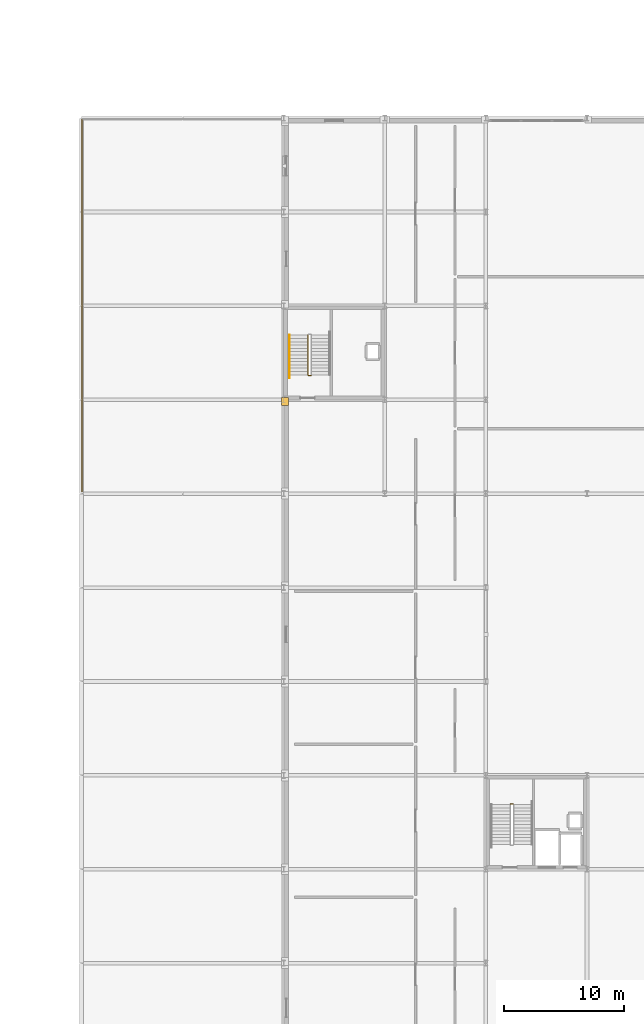
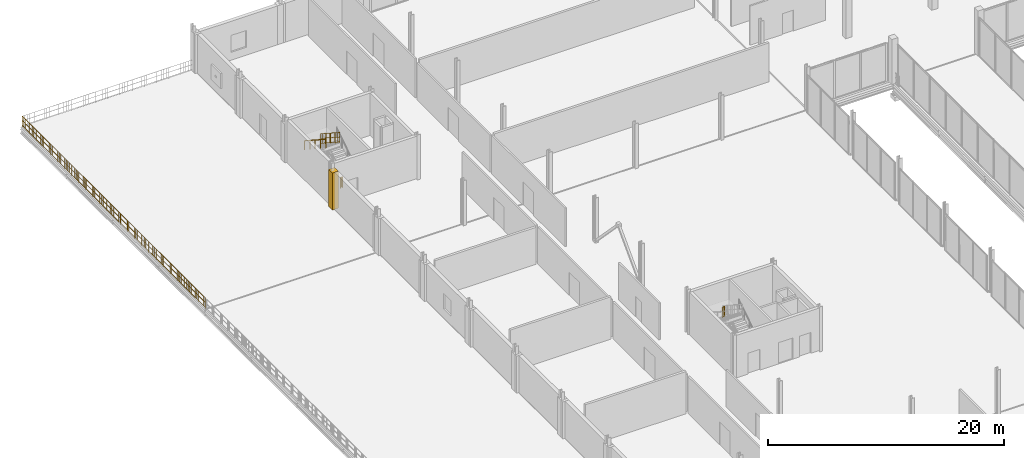
# One storey, part 92 of 98: 5 railings, 1 covering.
"""IFC4 building model written with IfcOpenShell, lengths in metres."""

from ifc_helpers import new_model, si_unit, direction, frame, origin, origin_2d, place, context, subcontext, project, spatial, polyline, circle, outline, extrude, material, layer, layer_set, type_object, element, save


model = new_model("IFC4")

# Units and contexts
model_context = context("Model", 3, precision=1e-05, world=origin(), true_north=direction((0.0, 1.0)))
body_context = subcontext(model_context, "Body", "Model", "MODEL_VIEW")
ifc_project = project(units=[si_unit("LENGTHUNIT", "METRE"), si_unit("AREAUNIT", "SQUARE_METRE"), si_unit("VOLUMEUNIT", "CUBIC_METRE"), si_unit("PLANEANGLEUNIT", "RADIAN"), si_unit("MASSUNIT", "GRAM", prefix="KILO")], contexts=[model_context])

# Site, building, storey
site_placement = place(None, origin())
site = spatial("IfcSite", under=ifc_project, at=site_placement, CompositionType="ELEMENT")
building_placement = place(site_placement, origin())
building = spatial("IfcBuilding", under=site, at=building_placement, Name="Nabrawat Pavilion Hospital", CompositionType="ELEMENT")
storey_placement = place(building_placement, frame((0.0, 0.0, 10.199951171875)))
storey = spatial("IfcBuildingStorey", under=building, at=storey_placement, Name="L02", CompositionType="ELEMENT", Elevation=10.199951171875)

# Covering
ifc_material_1 = material(Name="Precast concrete C40/50", Category="concrete")
ifc_layer_1 = layer(ifc_material_1, 0.360107421875, Name="Precast concrete C40/50")
ifc_layer_set_1 = layer_set([ifc_layer_1], Name="Precast concrete C40/50")
covering_type = type_object("IfcCoveringType", Name="Architectural Precast Column-Jamb Closure Reveal", PredefinedType="CLADDING", material=ifc_layer_set_1)
covering_placement = place(storey_placement, origin())
element("IfcCovering", 1, at=covering_placement, inside=storey, type_object=covering_type, Name="L02 Precast Facade Column-Jamb Weatherseal Closure 0338", PredefinedType="CLADDING", context=body_context, shape_type="SweptSolid", body=[
    extrude(outline(polyline([(17.199951171875, 93.14501953125), (17.199951171875, 93.780029296875), (16.6201171875, 93.780029296875), (16.6201171875, 93.14501953125), (17.199951171875, 93.14501953125)])), origin(), (0.0, 0.0, 1.0), 3.820068359375),
])

# Railings
ifc_material_2 = material(Name="Stainless Steel 316", Category="steel")
ifc_layer_2 = layer(ifc_material_2, 0.070068359375, Name="Stainless Steel 316")
ifc_layer_set_2 = layer_set([ifc_layer_2], Name="Stainless Steel 316")
railing_type_1 = type_object("IfcRailingType", Name="Exterior Clinical Terrace Safety Guardrail 1100", PredefinedType="GUARDRAIL", material=ifc_layer_set_2)
railing_1_placement = place(storey_placement, frame((0.06005859375, 85.97998046875, 0.0)))
element("IfcRailing", 2, at=railing_1_placement, inside=storey, type_object=railing_type_1, Name="L02 Terrace Edge Safety Guardrail T_L02_SURG_WEST_N West", PredefinedType="GUARDRAIL", context=body_context, shape_type="SweptSolid", body=[
    extrude(circle(Radius=0.02392578125, at=origin_2d()), frame((0.0, 0.0, 1.076171875), z_axis=(0.0, 1.0, 0.0), x_axis=(-1.0, 0.0, 0.0)), (0.0, 0.0, 1.0), 30.9599609375),
    extrude(circle(Radius=0.02392578125, at=origin_2d()), frame((0.0, 0.0, 0.10009765625), z_axis=(0.0, 1.0, 0.0), x_axis=(-1.0, 0.0, 0.0)), (0.0, 0.0, 1.0), 30.9599609375),
    extrude(circle(Radius=0.02392578125, at=origin_2d()), frame((0.0, 0.0, 0.60498046875), z_axis=(0.0, 1.0, 0.0), x_axis=(-1.0, 0.0, 0.0)), (0.0, 0.0, 1.0), 30.9599609375),
    extrude(circle(Radius=0.008056640625, at=origin_2d()), frame((0.0, 0.239990234375, 0.10009765625)), (0.0, 0.0, 1.0), 0.951904296875),
    extrude(circle(Radius=0.008056640625, at=origin_2d()), frame((0.0, 0.47998046875, 0.10009765625)), (0.0, 0.0, 1.0), 0.951904296875),
    extrude(circle(Radius=0.008056640625, at=origin_2d()), frame((0.0, 0.719970703125, 0.10009765625)), (0.0, 0.0, 1.0), 0.951904296875),
    extrude(circle(Radius=0.008056640625, at=origin_2d()), frame((0.0, 0.9599609375, 0.10009765625)), (0.0, 0.0, 1.0), 0.951904296875),
    extrude(circle(Radius=0.008056640625, at=origin_2d()), frame((0.0, 1.43994140625, 0.10009765625)), (0.0, 0.0, 1.0), 0.951904296875),
    extrude(circle(Radius=0.008056640625, at=origin_2d()), frame((0.0, 1.679931640625, 0.10009765625)), (0.0, 0.0, 1.0), 0.951904296875),
    extrude(circle(Radius=0.008056640625, at=origin_2d()), frame((0.0, 1.919921875, 0.10009765625)), (0.0, 0.0, 1.0), 0.951904296875),
    extrude(circle(Radius=0.008056640625, at=origin_2d()), frame((0.0, 2.159912109375, 0.10009765625)), (0.0, 0.0, 1.0), 0.951904296875),
    extrude(circle(Radius=0.008056640625, at=origin_2d()), frame((0.0, 2.639892578125, 0.10009765625)), (0.0, 0.0, 1.0), 0.951904296875),
    extrude(circle(Radius=0.008056640625, at=origin_2d()), frame((0.0, 2.8798828125, 0.10009765625)), (0.0, 0.0, 1.0), 0.951904296875),
    extrude(circle(Radius=0.008056640625, at=origin_2d()), frame((0.0, 3.1201171875, 0.10009765625)), (0.0, 0.0, 1.0), 0.951904296875),
    extrude(circle(Radius=0.008056640625, at=origin_2d()), frame((0.0, 3.360107421875, 0.10009765625)), (0.0, 0.0, 1.0), 0.951904296875),
    extrude(circle(Radius=0.008056640625, at=origin_2d()), frame((0.0, 3.840087890625, 0.10009765625)), (0.0, 0.0, 1.0), 0.951904296875),
    extrude(circle(Radius=0.008056640625, at=origin_2d()), frame((0.0, 4.080078125, 0.10009765625)), (0.0, 0.0, 1.0), 0.951904296875),
    extrude(circle(Radius=0.008056640625, at=origin_2d()), frame((0.0, 4.320068359375, 0.10009765625)), (0.0, 0.0, 1.0), 0.951904296875),
    extrude(circle(Radius=0.008056640625, at=origin_2d()), frame((0.0, 4.56005859375, 0.10009765625)), (0.0, 0.0, 1.0), 0.951904296875),
    extrude(circle(Radius=0.008056640625, at=origin_2d()), frame((0.0, 5.0400390625, 0.10009765625)), (0.0, 0.0, 1.0), 0.951904296875),
    extrude(circle(Radius=0.008056640625, at=origin_2d()), frame((0.0, 5.280029296875, 0.10009765625)), (0.0, 0.0, 1.0), 0.951904296875),
    extrude(circle(Radius=0.008056640625, at=origin_2d()), frame((0.0, 5.52001953125, 0.10009765625)), (0.0, 0.0, 1.0), 0.951904296875),
    extrude(circle(Radius=0.008056640625, at=origin_2d()), frame((0.0, 5.760009765625, 0.10009765625)), (0.0, 0.0, 1.0), 0.951904296875),
    extrude(circle(Radius=0.008056640625, at=origin_2d()), frame((0.0, 6.239990234375, 0.10009765625)), (0.0, 0.0, 1.0), 0.951904296875),
    extrude(circle(Radius=0.008056640625, at=origin_2d()), frame((0.0, 6.47998046875, 0.10009765625)), (0.0, 0.0, 1.0), 0.951904296875),
    extrude(circle(Radius=0.008056640625, at=origin_2d()), frame((0.0, 6.719970703125, 0.10009765625)), (0.0, 0.0, 1.0), 0.951904296875),
    extrude(circle(Radius=0.008056640625, at=origin_2d()), frame((0.0, 6.9599609375, 0.10009765625)), (0.0, 0.0, 1.0), 0.951904296875),
    extrude(circle(Radius=0.008056640625, at=origin_2d()), frame((0.0, 7.199951171875, 0.10009765625)), (0.0, 0.0, 1.0), 0.951904296875),
    extrude(circle(Radius=0.008056640625, at=origin_2d()), frame((0.0, 7.43994140625, 0.10009765625)), (0.0, 0.0, 1.0), 0.951904296875),
    extrude(circle(Radius=0.008056640625, at=origin_2d()), frame((0.0, 7.679931640625, 0.10009765625)), (0.0, 0.0, 1.0), 0.951904296875),
    extrude(circle(Radius=0.008056640625, at=origin_2d()), frame((0.0, 7.919921875, 0.10009765625)), (0.0, 0.0, 1.0), 0.951904296875),
    extrude(circle(Radius=0.008056640625, at=origin_2d()), frame((0.0, 8.159912109375, 0.10009765625)), (0.0, 0.0, 1.0), 0.951904296875),
    extrude(circle(Radius=0.008056640625, at=origin_2d()), frame((0.0, 8.39990234375, 0.10009765625)), (0.0, 0.0, 1.0), 0.951904296875),
    extrude(circle(Radius=0.008056640625, at=origin_2d()), frame((0.0, 8.639892578125, 0.10009765625)), (0.0, 0.0, 1.0), 0.951904296875),
    extrude(circle(Radius=0.008056640625, at=origin_2d()), frame((0.0, 8.8798828125, 0.10009765625)), (0.0, 0.0, 1.0), 0.951904296875),
    extrude(circle(Radius=0.008056640625, at=origin_2d()), frame((0.0, 9.119873046875, 0.10009765625)), (0.0, 0.0, 1.0), 0.951904296875),
    extrude(circle(Radius=0.008056640625, at=origin_2d()), frame((0.0, 9.360107421875, 0.10009765625)), (0.0, 0.0, 1.0), 0.951904296875),
    extrude(circle(Radius=0.008056640625, at=origin_2d()), frame((0.0, 9.60009765625, 0.10009765625)), (0.0, 0.0, 1.0), 0.951904296875),
    extrude(circle(Radius=0.008056640625, at=origin_2d()), frame((0.0, 9.840087890625, 0.10009765625)), (0.0, 0.0, 1.0), 0.951904296875),
    extrude(circle(Radius=0.008056640625, at=origin_2d()), frame((0.0, 10.080078125, 0.10009765625)), (0.0, 0.0, 1.0), 0.951904296875),
    extrude(circle(Radius=0.008056640625, at=origin_2d()), frame((0.0, 10.320068359375, 0.10009765625)), (0.0, 0.0, 1.0), 0.951904296875),
    extrude(circle(Radius=0.008056640625, at=origin_2d()), frame((0.0, 10.56005859375, 0.10009765625)), (0.0, 0.0, 1.0), 0.951904296875),
    extrude(circle(Radius=0.008056640625, at=origin_2d()), frame((0.0, 10.800048828125, 0.10009765625)), (0.0, 0.0, 1.0), 0.951904296875),
    extrude(circle(Radius=0.008056640625, at=origin_2d()), frame((0.0, 11.0400390625, 0.10009765625)), (0.0, 0.0, 1.0), 0.951904296875),
    extrude(circle(Radius=0.008056640625, at=origin_2d()), frame((0.0, 11.280029296875, 0.10009765625)), (0.0, 0.0, 1.0), 0.951904296875),
    extrude(circle(Radius=0.008056640625, at=origin_2d()), frame((0.0, 11.52001953125, 0.10009765625)), (0.0, 0.0, 1.0), 0.951904296875),
    extrude(circle(Radius=0.008056640625, at=origin_2d()), frame((0.0, 11.760009765625, 0.10009765625)), (0.0, 0.0, 1.0), 0.951904296875),
    extrude(circle(Radius=0.008056640625, at=origin_2d()), frame((0.0, 12.0, 0.10009765625)), (0.0, 0.0, 1.0), 0.951904296875),
    extrude(circle(Radius=0.008056640625, at=origin_2d()), frame((0.0, 12.239990234375, 0.10009765625)), (0.0, 0.0, 1.0), 0.951904296875),
    extrude(circle(Radius=0.008056640625, at=origin_2d()), frame((0.0, 12.47998046875, 0.10009765625)), (0.0, 0.0, 1.0), 0.951904296875),
    extrude(circle(Radius=0.008056640625, at=origin_2d()), frame((0.0, 12.719970703125, 0.10009765625)), (0.0, 0.0, 1.0), 0.951904296875),
    extrude(circle(Radius=0.008056640625, at=origin_2d()), frame((0.0, 12.9599609375, 0.10009765625)), (0.0, 0.0, 1.0), 0.951904296875),
    extrude(circle(Radius=0.008056640625, at=origin_2d()), frame((0.0, 13.199951171875, 0.10009765625)), (0.0, 0.0, 1.0), 0.951904296875),
    extrude(circle(Radius=0.008056640625, at=origin_2d()), frame((0.0, 13.43994140625, 0.10009765625)), (0.0, 0.0, 1.0), 0.951904296875),
    extrude(circle(Radius=0.008056640625, at=origin_2d()), frame((0.0, 13.679931640625, 0.10009765625)), (0.0, 0.0, 1.0), 0.951904296875),
    extrude(circle(Radius=0.008056640625, at=origin_2d()), frame((0.0, 13.919921875, 0.10009765625)), (0.0, 0.0, 1.0), 0.951904296875),
    extrude(circle(Radius=0.008056640625, at=origin_2d()), frame((0.0, 14.159912109375, 0.10009765625)), (0.0, 0.0, 1.0), 0.951904296875),
    extrude(circle(Radius=0.008056640625, at=origin_2d()), frame((0.0, 14.39990234375, 0.10009765625)), (0.0, 0.0, 1.0), 0.951904296875),
    extrude(circle(Radius=0.008056640625, at=origin_2d()), frame((0.0, 14.639892578125, 0.10009765625)), (0.0, 0.0, 1.0), 0.951904296875),
    extrude(circle(Radius=0.008056640625, at=origin_2d()), frame((0.0, 14.8798828125, 0.10009765625)), (0.0, 0.0, 1.0), 0.951904296875),
    extrude(circle(Radius=0.008056640625, at=origin_2d()), frame((0.0, 15.119873046875, 0.10009765625)), (0.0, 0.0, 1.0), 0.951904296875),
    extrude(circle(Radius=0.008056640625, at=origin_2d()), frame((0.0, 15.35986328125, 0.10009765625)), (0.0, 0.0, 1.0), 0.951904296875),
    extrude(circle(Radius=0.008056640625, at=origin_2d()), frame((0.0, 15.60009765625, 0.10009765625)), (0.0, 0.0, 1.0), 0.951904296875),
    extrude(circle(Radius=0.008056640625, at=origin_2d()), frame((0.0, 15.840087890625, 0.10009765625)), (0.0, 0.0, 1.0), 0.951904296875),
    extrude(circle(Radius=0.008056640625, at=origin_2d()), frame((0.0, 16.080078125, 0.10009765625)), (0.0, 0.0, 1.0), 0.951904296875),
    extrude(circle(Radius=0.008056640625, at=origin_2d()), frame((0.0, 16.320068359375, 0.10009765625)), (0.0, 0.0, 1.0), 0.951904296875),
    extrude(circle(Radius=0.008056640625, at=origin_2d()), frame((0.0, 16.56005859375, 0.10009765625)), (0.0, 0.0, 1.0), 0.951904296875),
    extrude(circle(Radius=0.008056640625, at=origin_2d()), frame((0.0, 16.800048828125, 0.10009765625)), (0.0, 0.0, 1.0), 0.951904296875),
    extrude(circle(Radius=0.008056640625, at=origin_2d()), frame((0.0, 17.0400390625, 0.10009765625)), (0.0, 0.0, 1.0), 0.951904296875),
    extrude(circle(Radius=0.008056640625, at=origin_2d()), frame((0.0, 17.280029296875, 0.10009765625)), (0.0, 0.0, 1.0), 0.951904296875),
    extrude(circle(Radius=0.008056640625, at=origin_2d()), frame((0.0, 17.52001953125, 0.10009765625)), (0.0, 0.0, 1.0), 0.951904296875),
    extrude(circle(Radius=0.008056640625, at=origin_2d()), frame((0.0, 17.760009765625, 0.10009765625)), (0.0, 0.0, 1.0), 0.951904296875),
    extrude(circle(Radius=0.008056640625, at=origin_2d()), frame((0.0, 18.0, 0.10009765625)), (0.0, 0.0, 1.0), 0.951904296875),
    extrude(circle(Radius=0.008056640625, at=origin_2d()), frame((0.0, 18.239990234375, 0.10009765625)), (0.0, 0.0, 1.0), 0.951904296875),
    extrude(circle(Radius=0.008056640625, at=origin_2d()), frame((0.0, 18.47998046875, 0.10009765625)), (0.0, 0.0, 1.0), 0.951904296875),
    extrude(circle(Radius=0.008056640625, at=origin_2d()), frame((0.0, 18.719970703125, 0.10009765625)), (0.0, 0.0, 1.0), 0.951904296875),
    extrude(circle(Radius=0.008056640625, at=origin_2d()), frame((0.0, 18.9599609375, 0.10009765625)), (0.0, 0.0, 1.0), 0.951904296875),
    extrude(circle(Radius=0.008056640625, at=origin_2d()), frame((0.0, 19.199951171875, 0.10009765625)), (0.0, 0.0, 1.0), 0.951904296875),
    extrude(circle(Radius=0.008056640625, at=origin_2d()), frame((0.0, 19.43994140625, 0.10009765625)), (0.0, 0.0, 1.0), 0.951904296875),
    extrude(circle(Radius=0.008056640625, at=origin_2d()), frame((0.0, 19.679931640625, 0.10009765625)), (0.0, 0.0, 1.0), 0.951904296875),
    extrude(circle(Radius=0.008056640625, at=origin_2d()), frame((0.0, 19.919921875, 0.10009765625)), (0.0, 0.0, 1.0), 0.951904296875),
    extrude(circle(Radius=0.008056640625, at=origin_2d()), frame((0.0, 20.159912109375, 0.10009765625)), (0.0, 0.0, 1.0), 0.951904296875),
    extrude(circle(Radius=0.008056640625, at=origin_2d()), frame((0.0, 20.39990234375, 0.10009765625)), (0.0, 0.0, 1.0), 0.951904296875),
    extrude(circle(Radius=0.008056640625, at=origin_2d()), frame((0.0, 20.639892578125, 0.10009765625)), (0.0, 0.0, 1.0), 0.951904296875),
    extrude(circle(Radius=0.008056640625, at=origin_2d()), frame((0.0, 20.8798828125, 0.10009765625)), (0.0, 0.0, 1.0), 0.951904296875),
    extrude(circle(Radius=0.008056640625, at=origin_2d()), frame((0.0, 21.119873046875, 0.10009765625)), (0.0, 0.0, 1.0), 0.951904296875),
    extrude(circle(Radius=0.008056640625, at=origin_2d()), frame((0.0, 21.35986328125, 0.10009765625)), (0.0, 0.0, 1.0), 0.951904296875),
    extrude(circle(Radius=0.008056640625, at=origin_2d()), frame((0.0, 21.599853515625, 0.10009765625)), (0.0, 0.0, 1.0), 0.951904296875),
    extrude(circle(Radius=0.008056640625, at=origin_2d()), frame((0.0, 21.840087890625, 0.10009765625)), (0.0, 0.0, 1.0), 0.951904296875),
    extrude(circle(Radius=0.008056640625, at=origin_2d()), frame((0.0, 22.080078125, 0.10009765625)), (0.0, 0.0, 1.0), 0.951904296875),
    extrude(circle(Radius=0.008056640625, at=origin_2d()), frame((0.0, 22.320068359375, 0.10009765625)), (0.0, 0.0, 1.0), 0.951904296875),
    extrude(circle(Radius=0.008056640625, at=origin_2d()), frame((0.0, 22.56005859375, 0.10009765625)), (0.0, 0.0, 1.0), 0.951904296875),
    extrude(circle(Radius=0.008056640625, at=origin_2d()), frame((0.0, 22.800048828125, 0.10009765625)), (0.0, 0.0, 1.0), 0.951904296875),
    extrude(circle(Radius=0.008056640625, at=origin_2d()), frame((0.0, 23.0400390625, 0.10009765625)), (0.0, 0.0, 1.0), 0.951904296875),
    extrude(circle(Radius=0.008056640625, at=origin_2d()), frame((0.0, 23.280029296875, 0.10009765625)), (0.0, 0.0, 1.0), 0.951904296875),
    extrude(circle(Radius=0.008056640625, at=origin_2d()), frame((0.0, 23.52001953125, 0.10009765625)), (0.0, 0.0, 1.0), 0.951904296875),
    extrude(circle(Radius=0.008056640625, at=origin_2d()), frame((0.0, 23.760009765625, 0.10009765625)), (0.0, 0.0, 1.0), 0.951904296875),
    extrude(circle(Radius=0.008056640625, at=origin_2d()), frame((0.0, 24.0, 0.10009765625)), (0.0, 0.0, 1.0), 0.951904296875),
    extrude(circle(Radius=0.008056640625, at=origin_2d()), frame((0.0, 24.239990234375, 0.10009765625)), (0.0, 0.0, 1.0), 0.951904296875),
    extrude(circle(Radius=0.008056640625, at=origin_2d()), frame((0.0, 24.47998046875, 0.10009765625)), (0.0, 0.0, 1.0), 0.951904296875),
    extrude(circle(Radius=0.008056640625, at=origin_2d()), frame((0.0, 24.719970703125, 0.10009765625)), (0.0, 0.0, 1.0), 0.951904296875),
    extrude(circle(Radius=0.008056640625, at=origin_2d()), frame((0.0, 25.199951171875, 0.10009765625)), (0.0, 0.0, 1.0), 0.951904296875),
    extrude(circle(Radius=0.008056640625, at=origin_2d()), frame((0.0, 25.43994140625, 0.10009765625)), (0.0, 0.0, 1.0), 0.951904296875),
    extrude(circle(Radius=0.008056640625, at=origin_2d()), frame((0.0, 25.679931640625, 0.10009765625)), (0.0, 0.0, 1.0), 0.951904296875),
    extrude(circle(Radius=0.008056640625, at=origin_2d()), frame((0.0, 25.919921875, 0.10009765625)), (0.0, 0.0, 1.0), 0.951904296875),
    extrude(circle(Radius=0.008056640625, at=origin_2d()), frame((0.0, 26.39990234375, 0.10009765625)), (0.0, 0.0, 1.0), 0.951904296875),
    extrude(circle(Radius=0.008056640625, at=origin_2d()), frame((0.0, 26.639892578125, 0.10009765625)), (0.0, 0.0, 1.0), 0.951904296875),
    extrude(circle(Radius=0.008056640625, at=origin_2d()), frame((0.0, 26.8798828125, 0.10009765625)), (0.0, 0.0, 1.0), 0.951904296875),
    extrude(circle(Radius=0.008056640625, at=origin_2d()), frame((0.0, 27.119873046875, 0.10009765625)), (0.0, 0.0, 1.0), 0.951904296875),
    extrude(circle(Radius=0.008056640625, at=origin_2d()), frame((0.0, 27.599853515625, 0.10009765625)), (0.0, 0.0, 1.0), 0.951904296875),
    extrude(circle(Radius=0.008056640625, at=origin_2d()), frame((0.0, 27.83984375, 0.10009765625)), (0.0, 0.0, 1.0), 0.951904296875),
    extrude(circle(Radius=0.008056640625, at=origin_2d()), frame((0.0, 28.080078125, 0.10009765625)), (0.0, 0.0, 1.0), 0.951904296875),
    extrude(circle(Radius=0.008056640625, at=origin_2d()), frame((0.0, 28.320068359375, 0.10009765625)), (0.0, 0.0, 1.0), 0.951904296875),
    extrude(circle(Radius=0.008056640625, at=origin_2d()), frame((0.0, 28.800048828125, 0.10009765625)), (0.0, 0.0, 1.0), 0.951904296875),
    extrude(circle(Radius=0.008056640625, at=origin_2d()), frame((0.0, 29.0400390625, 0.10009765625)), (0.0, 0.0, 1.0), 0.951904296875),
    extrude(circle(Radius=0.008056640625, at=origin_2d()), frame((0.0, 29.280029296875, 0.10009765625)), (0.0, 0.0, 1.0), 0.951904296875),
    extrude(circle(Radius=0.008056640625, at=origin_2d()), frame((0.0, 29.52001953125, 0.10009765625)), (0.0, 0.0, 1.0), 0.951904296875),
    extrude(circle(Radius=0.008056640625, at=origin_2d()), frame((0.0, 30.0, 0.10009765625)), (0.0, 0.0, 1.0), 0.951904296875),
    extrude(circle(Radius=0.008056640625, at=origin_2d()), frame((0.0, 30.239990234375, 0.10009765625)), (0.0, 0.0, 1.0), 0.951904296875),
    extrude(circle(Radius=0.008056640625, at=origin_2d()), frame((0.0, 30.47998046875, 0.10009765625)), (0.0, 0.0, 1.0), 0.951904296875),
    extrude(circle(Radius=0.008056640625, at=origin_2d()), frame((0.0, 30.719970703125, 0.10009765625)), (0.0, 0.0, 1.0), 0.951904296875),
    extrude(circle(Radius=0.02099609375, at=origin_2d()), origin(), (0.0, 0.0, 1.0), 1.052001953125),
    extrude(circle(Radius=0.02099609375, at=origin_2d()), frame((0.0, 1.190673828125, 0.0)), (0.0, 0.0, 1.0), 1.052001953125),
    extrude(circle(Radius=0.02099609375, at=origin_2d()), frame((0.0, 2.381591796875, 0.0)), (0.0, 0.0, 1.0), 1.052001953125),
    extrude(circle(Radius=0.02099609375, at=origin_2d()), frame((0.0, 3.572265625, 0.0)), (0.0, 0.0, 1.0), 1.052001953125),
    extrude(circle(Radius=0.02099609375, at=origin_2d()), frame((0.0, 4.76318359375, 0.0)), (0.0, 0.0, 1.0), 1.052001953125),
    extrude(circle(Radius=0.02099609375, at=origin_2d()), frame((0.0, 5.953857421875, 0.0)), (0.0, 0.0, 1.0), 1.052001953125),
    extrude(circle(Radius=0.02099609375, at=origin_2d()), frame((0.0, 7.14453125, 0.0)), (0.0, 0.0, 1.0), 1.052001953125),
    extrude(circle(Radius=0.02099609375, at=origin_2d()), frame((0.0, 8.33544921875, 0.0)), (0.0, 0.0, 1.0), 1.052001953125),
    extrude(circle(Radius=0.02099609375, at=origin_2d()), frame((0.0, 9.526123046875, 0.0)), (0.0, 0.0, 1.0), 1.052001953125),
    extrude(circle(Radius=0.02099609375, at=origin_2d()), frame((0.0, 10.716796875, 0.0)), (0.0, 0.0, 1.0), 1.052001953125),
    extrude(circle(Radius=0.02099609375, at=origin_2d()), frame((0.0, 11.90771484375, 0.0)), (0.0, 0.0, 1.0), 1.052001953125),
    extrude(circle(Radius=0.02099609375, at=origin_2d()), frame((0.0, 13.098388671875, 0.0)), (0.0, 0.0, 1.0), 1.052001953125),
    extrude(circle(Radius=0.02099609375, at=origin_2d()), frame((0.0, 14.289306640625, 0.0)), (0.0, 0.0, 1.0), 1.052001953125),
    extrude(circle(Radius=0.02099609375, at=origin_2d()), frame((0.0, 15.47998046875, 0.0)), (0.0, 0.0, 1.0), 1.052001953125),
    extrude(circle(Radius=0.02099609375, at=origin_2d()), frame((0.0, 16.670654296875, 0.0)), (0.0, 0.0, 1.0), 1.052001953125),
    extrude(circle(Radius=0.02099609375, at=origin_2d()), frame((0.0, 17.861572265625, 0.0)), (0.0, 0.0, 1.0), 1.052001953125),
    extrude(circle(Radius=0.02099609375, at=origin_2d()), frame((0.0, 19.05224609375, 0.0)), (0.0, 0.0, 1.0), 1.052001953125),
    extrude(circle(Radius=0.02099609375, at=origin_2d()), frame((0.0, 20.2431640625, 0.0)), (0.0, 0.0, 1.0), 1.052001953125),
    extrude(circle(Radius=0.02099609375, at=origin_2d()), frame((0.0, 21.433837890625, 0.0)), (0.0, 0.0, 1.0), 1.052001953125),
    extrude(circle(Radius=0.02099609375, at=origin_2d()), frame((0.0, 22.62451171875, 0.0)), (0.0, 0.0, 1.0), 1.052001953125),
    extrude(circle(Radius=0.02099609375, at=origin_2d()), frame((0.0, 23.8154296875, 0.0)), (0.0, 0.0, 1.0), 1.052001953125),
    extrude(circle(Radius=0.02099609375, at=origin_2d()), frame((0.0, 25.006103515625, 0.0)), (0.0, 0.0, 1.0), 1.052001953125),
    extrude(circle(Radius=0.02099609375, at=origin_2d()), frame((0.0, 26.19677734375, 0.0)), (0.0, 0.0, 1.0), 1.052001953125),
    extrude(circle(Radius=0.02099609375, at=origin_2d()), frame((0.0, 27.3876953125, 0.0)), (0.0, 0.0, 1.0), 1.052001953125),
    extrude(circle(Radius=0.02099609375, at=origin_2d()), frame((0.0, 28.578369140625, 0.0)), (0.0, 0.0, 1.0), 1.052001953125),
    extrude(circle(Radius=0.02099609375, at=origin_2d()), frame((0.0, 29.769287109375, 0.0)), (0.0, 0.0, 1.0), 1.052001953125),
    extrude(circle(Radius=0.02099609375, at=origin_2d()), frame((0.0, 30.9599609375, 0.0)), (0.0, 0.0, 1.0), 1.052001953125),
])
ifc_layer_3 = layer(ifc_material_2, 0.050048828125, Name="Stainless Steel 316")
ifc_layer_set_3 = layer_set([ifc_layer_3], Name="Stainless Steel 316")
railing_type_2 = type_object("IfcRailingType", Name="Stair Open-Well Safety Guardrail 1100", PredefinedType="GUARDRAIL", material=ifc_layer_set_3)
railing_2_placement = place(storey_placement, frame((35.85009765625, 60.02001953125, 2.324951171875)))
element("IfcRailing", 3, at=railing_2_placement, inside=storey, type_object=railing_type_2, Name="L02 ST-02 stair guard 2", PredefinedType="GUARDRAIL", context=body_context, shape_type="SweptSolid", body=[
    extrude(circle(Radius=0.02392578125, at=origin_2d()), frame((0.0, 0.0, 1.076171875), z_axis=(-1.0, 0.0, 0.0), x_axis=(0.0, -1.0, 0.0)), (0.0, 0.0, 1.0), 0.2001953125),
    extrude(circle(Radius=0.02392578125, at=origin_2d()), frame((0.0, 0.0, 0.10009765625), z_axis=(-1.0, 0.0, 0.0), x_axis=(0.0, -1.0, 0.0)), (0.0, 0.0, 1.0), 0.2001953125),
    extrude(circle(Radius=0.02392578125, at=origin_2d()), frame((0.0, 0.0, 0.60498046875), z_axis=(-1.0, 0.0, 0.0), x_axis=(0.0, -1.0, 0.0)), (0.0, 0.0, 1.0), 0.2001953125),
    extrude(circle(Radius=0.008056640625, at=origin_2d()), frame((-0.10009765625, 0.0, 0.10009765625)), (0.0, 0.0, 1.0), 0.951904296875),
    extrude(circle(Radius=0.02099609375, at=origin_2d()), origin(), (0.0, 0.0, 1.0), 1.052001953125),
    extrude(circle(Radius=0.02099609375, at=origin_2d()), frame((-0.2001953125, 0.0, 0.0)), (0.0, 0.0, 1.0), 1.052001953125),
])
railing_3_placement = place(storey_placement, frame((18.824951171875, 98.969970703125, 2.50390625)))
element("IfcRailing", 4, at=railing_3_placement, inside=storey, type_object=railing_type_2, Name="L02 ST-07 stair guard 3", PredefinedType="GUARDRAIL", context=body_context, shape_type="SweptSolid", body=[
    extrude(circle(Radius=0.02392578125, at=origin_2d()), frame((0.0, 0.0, 1.076171875), z_axis=(0.0, -0.838303311307, 0.545204143649), x_axis=(1.0, 0.0, 0.0)), (0.0, 0.0, 1.0), 3.9365234375),
    extrude(circle(Radius=0.02392578125, at=origin_2d()), frame((0.0, 0.0, 0.10009765625), z_axis=(0.0, -0.838303311307, 0.545204143649), x_axis=(1.0, 0.0, 0.0)), (0.0, 0.0, 1.0), 3.9365234375),
    extrude(circle(Radius=0.02392578125, at=origin_2d()), frame((0.0, 0.0, 0.60498046875), z_axis=(0.0, -0.838303311307, 0.545204143649), x_axis=(1.0, 0.0, 0.0)), (0.0, 0.0, 1.0), 3.9365234375),
    extrude(circle(Radius=0.008056640625, at=origin_2d()), frame((0.0, -0.194091796875, 0.226318359375)), (0.0, 0.0, 1.0), 0.951904296875),
    extrude(circle(Radius=0.008056640625, at=origin_2d()), frame((0.0, -0.38818359375, 0.3525390625)), (0.0, 0.0, 1.0), 0.951904296875),
    extrude(circle(Radius=0.008056640625, at=origin_2d()), frame((0.0, -0.582275390625, 0.478759765625)), (0.0, 0.0, 1.0), 0.951904296875),
    extrude(circle(Radius=0.008056640625, at=origin_2d()), frame((0.0, -0.7763671875, 0.60498046875)), (0.0, 0.0, 1.0), 0.951904296875),
    extrude(circle(Radius=0.008056640625, at=origin_2d()), frame((0.0, -0.970703125, 0.731201171875)), (0.0, 0.0, 1.0), 0.951904296875),
    extrude(circle(Radius=0.008056640625, at=origin_2d()), frame((0.0, -1.164794921875, 0.857421875)), (0.0, 0.0, 1.0), 0.951904296875),
    extrude(circle(Radius=0.008056640625, at=origin_2d()), frame((0.0, -1.35888671875, 0.983642578125)), (0.0, 0.0, 1.0), 0.951904296875),
    extrude(circle(Radius=0.008056640625, at=origin_2d()), frame((0.0, -1.552978515625, 1.110107421875)), (0.0, 0.0, 1.0), 0.951904296875),
    extrude(circle(Radius=0.008056640625, at=origin_2d()), frame((0.0, -1.7470703125, 1.236328125)), (0.0, 0.0, 1.0), 0.951904296875),
    extrude(circle(Radius=0.008056640625, at=origin_2d()), frame((0.0, -1.941162109375, 1.362548828125)), (0.0, 0.0, 1.0), 0.951904296875),
    extrude(circle(Radius=0.008056640625, at=origin_2d()), frame((0.0, -2.13525390625, 1.48876953125)), (0.0, 0.0, 1.0), 0.951904296875),
    extrude(circle(Radius=0.008056640625, at=origin_2d()), frame((0.0, -2.329345703125, 1.614990234375)), (0.0, 0.0, 1.0), 0.951904296875),
    extrude(circle(Radius=0.008056640625, at=origin_2d()), frame((0.0, -2.523681640625, 1.7412109375)), (0.0, 0.0, 1.0), 0.951904296875),
    extrude(circle(Radius=0.008056640625, at=origin_2d()), frame((0.0, -2.7177734375, 1.867431640625)), (0.0, 0.0, 1.0), 0.951904296875),
    extrude(circle(Radius=0.008056640625, at=origin_2d()), frame((0.0, -2.911865234375, 1.99365234375)), (0.0, 0.0, 1.0), 0.951904296875),
    extrude(circle(Radius=0.008056640625, at=origin_2d()), frame((0.0, -3.10595703125, 2.119873046875)), (0.0, 0.0, 1.0), 0.951904296875),
    extrude(circle(Radius=0.02099609375, at=origin_2d()), origin(), (0.0, 0.0, 1.0), 1.052001953125),
    extrude(circle(Radius=0.02099609375, at=origin_2d()), frame((0.0, -0.824951171875, 0.53662109375)), (0.0, 0.0, 1.0), 1.052001953125),
    extrude(circle(Radius=0.02099609375, at=origin_2d()), frame((0.0, -1.64990234375, 1.0732421875)), (0.0, 0.0, 1.0), 1.052001953125),
    extrude(circle(Radius=0.02099609375, at=origin_2d()), frame((0.0, -2.47509765625, 1.609619140625)), (0.0, 0.0, 1.0), 1.052001953125),
    extrude(circle(Radius=0.02099609375, at=origin_2d()), frame((0.0, -3.300048828125, 2.146240234375)), (0.0, 0.0, 1.0), 1.052001953125),
])
railing_4_placement = place(storey_placement, frame((19.050048828125, 95.6201171875, 0.0)))
element("IfcRailing", 5, at=railing_4_placement, inside=storey, type_object=railing_type_2, Name="L02 ST-07 stair guard 4", PredefinedType="GUARDRAIL", context=body_context, shape_type="SweptSolid", body=[
    extrude(circle(Radius=0.02392578125, at=origin_2d()), frame((0.0, 0.0, 1.076171875), z_axis=(-1.0, 0.0, 0.0), x_axis=(0.0, -1.0, 0.0)), (0.0, 0.0, 1.0), 0.199951171875),
    extrude(circle(Radius=0.02392578125, at=origin_2d()), frame((0.0, 0.0, 0.10009765625), z_axis=(-1.0, 0.0, 0.0), x_axis=(0.0, -1.0, 0.0)), (0.0, 0.0, 1.0), 0.199951171875),
    extrude(circle(Radius=0.02392578125, at=origin_2d()), frame((0.0, 0.0, 0.60498046875), z_axis=(-1.0, 0.0, 0.0), x_axis=(0.0, -1.0, 0.0)), (0.0, 0.0, 1.0), 0.199951171875),
    extrude(circle(Radius=0.008056640625, at=origin_2d()), frame((-0.10009765625, 0.0, 0.10009765625)), (0.0, 0.0, 1.0), 0.951904296875),
    extrude(circle(Radius=0.02099609375, at=origin_2d()), origin(), (0.0, 0.0, 1.0), 1.052001953125),
    extrude(circle(Radius=0.02099609375, at=origin_2d()), frame((-0.199951171875, 0.0, 0.0)), (0.0, 0.0, 1.0), 1.052001953125),
])
ifc_layer_4 = layer(ifc_material_2, 0.044921875, Name="Stainless Steel 316")
ifc_layer_set_4 = layer_set([ifc_layer_4], Name="Stainless Steel 316")
railing_type_3 = type_object("IfcRailingType", Name="Stair Pitch Continuous Handrail 920", PredefinedType="HANDRAIL", material=ifc_layer_set_4)
railing_5_placement = place(storey_placement, frame((17.27490234375, 98.969970703125, 2.5078125)))
element("IfcRailing", 6, at=railing_5_placement, inside=storey, type_object=railing_type_3, Name="L02 ST-07 stair handrail 2", PredefinedType="HANDRAIL", context=body_context, shape_type="SweptSolid", body=[
    extrude(circle(Radius=0.02392578125, at=origin_2d()), frame((0.0, 0.0, 0.89599609375), z_axis=(0.0, -0.838311484064, 0.54519157705), x_axis=(1.0, 0.0, 0.0)), (0.0, 0.0, 1.0), 4.264404296875),
    extrude(circle(Radius=0.02099609375, at=origin_2d()), origin(), (0.0, 0.0, 1.0), 0.871826171875),
    extrude(circle(Radius=0.02099609375, at=origin_2d()), frame((0.0, -0.893798828125, 0.581298828125)), (0.0, 0.0, 1.0), 0.871826171875),
    extrude(circle(Radius=0.02099609375, at=origin_2d()), frame((0.0, -1.78759765625, 1.16259765625)), (0.0, 0.0, 1.0), 0.871826171875),
    extrude(circle(Radius=0.02099609375, at=origin_2d()), frame((0.0, -2.68115234375, 1.74365234375)), (0.0, 0.0, 1.0), 0.871826171875),
    extrude(circle(Radius=0.02099609375, at=origin_2d()), frame((0.0, -3.574951171875, 2.324951171875)), (0.0, 0.0, 1.0), 0.871826171875),
])

save(model, "model.ifc")
